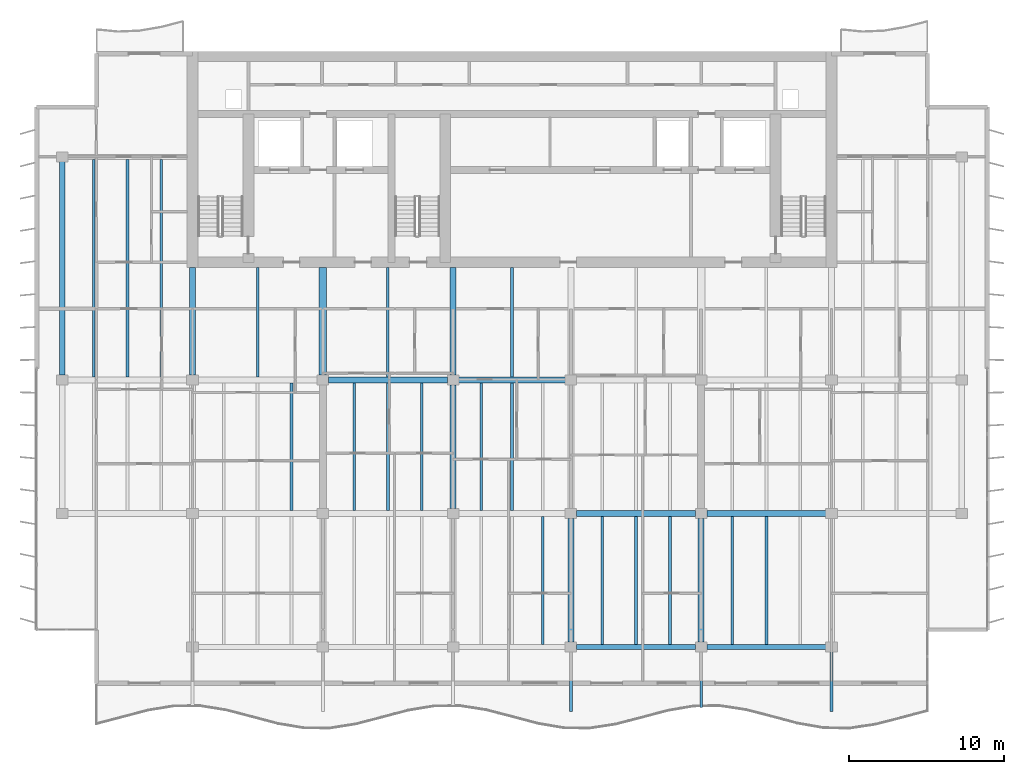
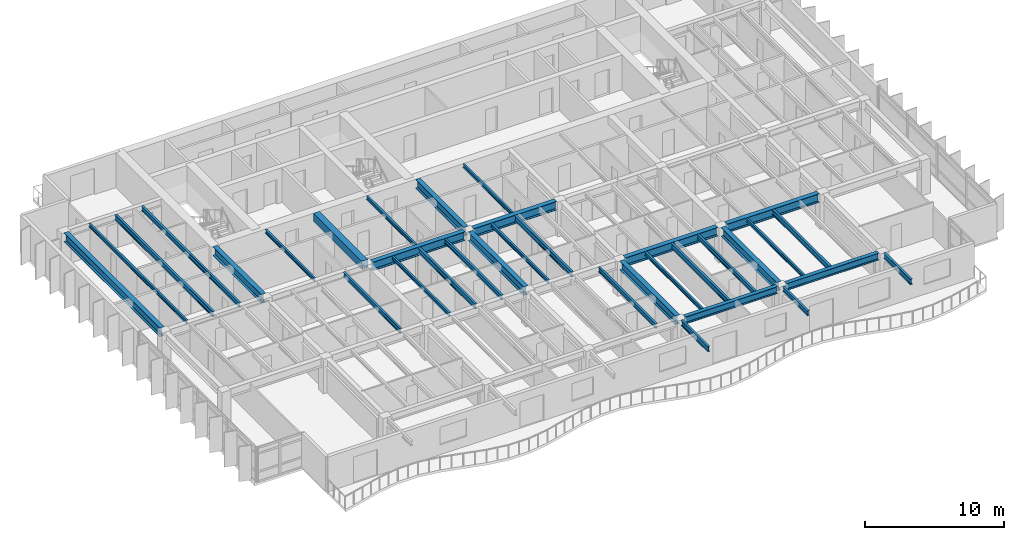
# One storey, part 3 of 16: 34 beams.
"""IFC4 building model written with IfcOpenShell, lengths in metres."""

from ifc_helpers import new_model, si_unit, direction, frame, origin, origin_2d, place, context, subcontext, project, spatial, rectangle, i_section, extrude, material, material_profile, profile_set, type_object, element, save


model = new_model("IFC4")

# Units and contexts
model_context = context("Model", 3, precision=1e-05, world=origin(), true_north=direction((0.0, 1.0)))
body_context = subcontext(model_context, "Body", "Model", "MODEL_VIEW")
ifc_project = project(units=[si_unit("LENGTHUNIT", "METRE"), si_unit("AREAUNIT", "SQUARE_METRE"), si_unit("VOLUMEUNIT", "CUBIC_METRE"), si_unit("PLANEANGLEUNIT", "RADIAN"), si_unit("MASSUNIT", "GRAM", prefix="KILO")], contexts=[model_context])

# Site, building, storey
site_placement = place(None, origin())
site = spatial("IfcSite", under=ifc_project, at=site_placement, CompositionType="ELEMENT")
building_placement = place(site_placement, origin())
building = spatial("IfcBuilding", under=site, at=building_placement, Name="Caelmar Bay Residences", CompositionType="ELEMENT")
storey_placement = place(building_placement, frame((0.0, 0.0, 233.10009765625)))
storey = spatial("IfcBuildingStorey", under=building, at=storey_placement, Name="L65", CompositionType="ELEMENT", Elevation=233.10009765625)

# Beams
ifc_material_1 = material(Name="Steel ASTM A992 Grade 50", Category="steel")
ifc_material_profile_1 = material_profile(ifc_material_1, i_section(OverallWidth=0.177978515625, OverallDepth=0.406005859375, WebThickness=0.0078125, FlangeThickness=0.0126953125, FilletRadius=0.0087890625, at=origin_2d()), Name="W16X40")
ifc_profile_set_1 = profile_set([ifc_material_profile_1], Name="Steel ASTM A992 Grade 50")
beam_type_1 = type_object("IfcBeamType", Name="BM-BAL-W16X40", PredefinedType="JOIST", material=ifc_profile_set_1)
for number, where, z_axis, x_axis, name in (
    (1, (40.8759765625, 12.362548828125, 2.846923828125), (0.0, 1.0, 0.0), (-1.0, 0.0, 0.0), "L65 Composite Floor Joist 9"),
    (2, (49.083984375, 12.362548828125, 2.846923828125), (0.0, 1.0, 0.0), (-1.0, 0.0, 0.0), "L65 Composite Floor Joist 12"),
):
    element("IfcBeam", number, at=place(storey_placement, frame(where, z_axis=z_axis, x_axis=x_axis)), inside=storey, type_object=beam_type_1, Name=name, PredefinedType="JOIST", context=body_context, shape_type="SweptSolid", body=[
        extrude(i_section(OverallWidth=0.177978515625, OverallDepth=0.406005859375, WebThickness=0.0078125, FlangeThickness=0.0126953125, FilletRadius=0.0087890625, at=origin_2d()), origin(), (0.0, 0.0, 1.0), 8.2470703125),
    ])
for number, where, z_axis, x_axis, name in (
    (3, (24.68408203125, 20.990478515625, 2.846923828125), (0.0, 1.0, 0.0), (-1.0, 0.0, 0.0), "L65 Composite Floor Joist 21"),
    (4, (33.083984375, 20.990478515625, 2.846923828125), (0.0, 1.0, 0.0), (-1.0, 0.0, 0.0), "L65 Composite Floor Joist 24"),
):
    element("IfcBeam", number, at=place(storey_placement, frame(where, z_axis=z_axis, x_axis=x_axis)), inside=storey, type_object=beam_type_1, Name=name, PredefinedType="JOIST", context=body_context, shape_type="SweptSolid", body=[
        extrude(i_section(OverallWidth=0.177978515625, OverallDepth=0.406005859375, WebThickness=0.0078125, FlangeThickness=0.0126953125, FilletRadius=0.0087890625, at=origin_2d()), origin(), (0.0, 0.0, 1.0), 8.218994140625),
    ])
beam_1_placement = place(storey_placement, frame((16.283935546875, 29.590576171875, 2.846923828125), z_axis=(0.0, 1.0, 0.0), x_axis=(-1.0, 0.0, 0.0)))
element("IfcBeam", 5, at=beam_1_placement, inside=storey, type_object=beam_type_1, Name="L65 Composite Floor Joist 44", PredefinedType="JOIST", context=body_context, shape_type="SweptSolid", body=[
    extrude(i_section(OverallWidth=0.177978515625, OverallDepth=0.406005859375, WebThickness=0.0078125, FlangeThickness=0.0126953125, FilletRadius=0.0087890625, at=origin_2d()), origin(), (0.0, 0.0, 1.0), 14.046875),
])
beam_2_placement = place(storey_placement, frame((51.10009765625, 11.885009765625, 2.846923828125), z_axis=(0.0, -1.0, 0.0), x_axis=(1.0, 0.0, 0.0)))
element("IfcBeam", 6, at=beam_2_placement, inside=storey, type_object=beam_type_1, Name="L66 South Balcony Cantilever Bracket 5", PredefinedType="JOIST", context=body_context, shape_type="SweptSolid", body=[
    extrude(i_section(OverallWidth=0.177978515625, OverallDepth=0.406005859375, WebThickness=0.0078125, FlangeThickness=0.0126953125, FilletRadius=0.0087890625, at=origin_2d()), origin(), (0.0, 0.0, 1.0), 3.586669921875),
])
ifc_material_profile_2 = material_profile(ifc_material_1, i_section(OverallWidth=0.193115234375, OverallDepth=0.467041015625, WebThickness=0.011474609375, FlangeThickness=0.01904296875, FilletRadius=0.01025390625, at=origin_2d()), Name="W18X65")
ifc_profile_set_2 = profile_set([ifc_material_profile_2], Name="Steel ASTM A992 Grade 50")
beam_type_2 = type_object("IfcBeamType", Name="BM-BAL-W18X65", PredefinedType="BEAM", material=ifc_profile_set_2)
for number, where, z_axis, x_axis, name in (
    (7, (42.699951171875, 11.885009765625, 2.81640625), (0.0, -1.0, 0.0), (1.0, 0.0, 0.0), "L66 South Balcony Cantilever Bracket 4"),
    (8, (59.5, 11.885009765625, 2.81640625), (0.0, -1.0, 0.0), (1.0, 0.0, 0.0), "L66 South Balcony Cantilever Bracket 6"),
):
    element("IfcBeam", number, at=place(storey_placement, frame(where, z_axis=z_axis, x_axis=x_axis)), inside=storey, type_object=beam_type_2, Name=name, PredefinedType="BEAM", context=body_context, shape_type="SweptSolid", body=[
        extrude(i_section(OverallWidth=0.193115234375, OverallDepth=0.467041015625, WebThickness=0.011474609375, FlangeThickness=0.01904296875, FilletRadius=0.01025390625, at=origin_2d()), origin(), (0.0, 0.0, 1.0), 3.85009765625),
    ])
ifc_material_profile_3 = material_profile(ifc_material_1, i_section(OverallWidth=0.381103515625, OverallDepth=0.77197265625, WebThickness=0.0166015625, FlangeThickness=0.027099609375, FilletRadius=0.0166015625, at=origin_2d()), Name="W30X173")
ifc_profile_set_3 = profile_set([ifc_material_profile_3], Name="Steel ASTM A992 Grade 50")
beam_type_3 = type_object("IfcBeamType", Name="BM-GRD-W30X173", PredefinedType="BEAM", material=ifc_profile_set_3)
beam_3_placement = place(storey_placement, frame((43.06494140625, 20.800048828125, 2.663818359375), z_axis=(1.0, 0.0, 0.0), x_axis=(0.0, 1.0, 0.0)))
element("IfcBeam", 9, at=beam_3_placement, inside=storey, type_object=beam_type_3, Name="L65 East-West Girder Y=20.80 (42.7-51.1)", PredefinedType="BEAM", context=body_context, shape_type="SweptSolid", body=[
    extrude(i_section(OverallWidth=0.381103515625, OverallDepth=0.77197265625, WebThickness=0.0166015625, FlangeThickness=0.027099609375, FilletRadius=0.0166015625, at=origin_2d()), origin(), (0.0, 0.0, 1.0), 7.670166015625),
])
beam_4_placement = place(storey_placement, frame((51.465087890625, 20.800048828125, 2.663818359375), z_axis=(1.0, 0.0, 0.0), x_axis=(0.0, 1.0, 0.0)))
element("IfcBeam", 10, at=beam_4_placement, inside=storey, type_object=beam_type_3, Name="L65 East-West Girder Y=20.80 (51.1-59.5)", PredefinedType="BEAM", context=body_context, shape_type="SweptSolid", body=[
    extrude(i_section(OverallWidth=0.381103515625, OverallDepth=0.77197265625, WebThickness=0.0166015625, FlangeThickness=0.027099609375, FilletRadius=0.0166015625, at=origin_2d()), origin(), (0.0, 0.0, 1.0), 7.669921875),
])
beam_5_placement = place(storey_placement, frame((27.06494140625, 29.39990234375, 2.663818359375), z_axis=(1.0, 0.0, 0.0), x_axis=(0.0, 1.0, 0.0)))
element("IfcBeam", 11, at=beam_5_placement, inside=storey, type_object=beam_type_3, Name="L65 East-West Girder Y=29.40 (26.7-35.1)", PredefinedType="BEAM", context=body_context, shape_type="SweptSolid", body=[
    extrude(i_section(OverallWidth=0.381103515625, OverallDepth=0.77197265625, WebThickness=0.0166015625, FlangeThickness=0.027099609375, FilletRadius=0.0166015625, at=origin_2d()), origin(), (0.0, 0.0, 1.0), 7.670166015625),
])
beam_6_placement = place(storey_placement, frame((35.465087890625, 29.39990234375, 2.663818359375), z_axis=(1.0, 0.0, 0.0), x_axis=(0.0, 1.0, 0.0)))
element("IfcBeam", 12, at=beam_6_placement, inside=storey, type_object=beam_type_3, Name="L65 East-West Girder Y=29.40 (35.1-42.7)", PredefinedType="BEAM", context=body_context, shape_type="SweptSolid", body=[
    extrude(i_section(OverallWidth=0.381103515625, OverallDepth=0.77197265625, WebThickness=0.0166015625, FlangeThickness=0.027099609375, FilletRadius=0.0166015625, at=origin_2d()), origin(), (0.0, 0.0, 1.0), 6.869873046875),
])
beam_7_placement = place(storey_placement, frame((9.89990234375, 29.715087890625, 2.663818359375), z_axis=(0.0, 1.0, 0.0), x_axis=(-1.0, 0.0, 0.0)))
element("IfcBeam", 13, at=beam_7_placement, inside=storey, type_object=beam_type_3, Name="L65 North-South Girder X=9.90 (29.4-43.8)", PredefinedType="BEAM", context=body_context, shape_type="SweptSolid", body=[
    extrude(i_section(OverallWidth=0.381103515625, OverallDepth=0.77197265625, WebThickness=0.0166015625, FlangeThickness=0.027099609375, FilletRadius=0.0166015625, at=origin_2d()), origin(), (0.0, 0.0, 1.0), 13.77001953125),
])
for number, where, z_axis, x_axis, name in (
    (14, (18.300048828125, 29.715087890625, 2.663818359375), (0.0, 1.0, 0.0), (-1.0, 0.0, 0.0), "L65 Core Tie Girder X=18.30"),
    (15, (35.10009765625, 29.715087890625, 2.663818359375), (0.0, 1.0, 0.0), (-1.0, 0.0, 0.0), "L65 Core Tie Girder X=35.10"),
):
    element("IfcBeam", number, at=place(storey_placement, frame(where, z_axis=z_axis, x_axis=x_axis)), inside=storey, type_object=beam_type_3, Name=name, PredefinedType="BEAM", context=body_context, shape_type="SweptSolid", body=[
        extrude(i_section(OverallWidth=0.381103515625, OverallDepth=0.77197265625, WebThickness=0.0166015625, FlangeThickness=0.027099609375, FilletRadius=0.0166015625, at=origin_2d()), origin(), (0.0, 0.0, 1.0), 6.934814453125),
    ])
beam_8_placement = place(storey_placement, frame((35.10009765625, 21.114990234375, 2.663818359375), z_axis=(0.0, 1.0, 0.0), x_axis=(-1.0, 0.0, 0.0)))
element("IfcBeam", 16, at=beam_8_placement, inside=storey, type_object=beam_type_3, Name="L65 North-South Girder X=35.10 (20.8-29.4)", PredefinedType="BEAM", context=body_context, shape_type="SweptSolid", body=[
    extrude(i_section(OverallWidth=0.381103515625, OverallDepth=0.77197265625, WebThickness=0.0166015625, FlangeThickness=0.027099609375, FilletRadius=0.0166015625, at=origin_2d()), origin(), (0.0, 0.0, 1.0), 7.969970703125),
])
for number, where, z_axis, x_axis, name in (
    (17, (42.699951171875, 12.514892578125, 2.663818359375), (0.0, 1.0, 0.0), (-1.0, 0.0, 0.0), "L65 North-South Girder X=42.70 (12.2-20.8)"),
    (18, (51.10009765625, 12.514892578125, 2.663818359375), (0.0, 1.0, 0.0), (-1.0, 0.0, 0.0), "L65 North-South Girder X=51.10 (12.2-20.8)"),
):
    element("IfcBeam", number, at=place(storey_placement, frame(where, z_axis=z_axis, x_axis=x_axis)), inside=storey, type_object=beam_type_3, Name=name, PredefinedType="BEAM", context=body_context, shape_type="SweptSolid", body=[
        extrude(i_section(OverallWidth=0.381103515625, OverallDepth=0.77197265625, WebThickness=0.0166015625, FlangeThickness=0.027099609375, FilletRadius=0.0166015625, at=origin_2d()), origin(), (0.0, 0.0, 1.0), 7.97021484375),
    ])
ifc_material_profile_4 = material_profile(ifc_material_1, i_section(OverallWidth=0.1650390625, OverallDepth=0.31005859375, WebThickness=0.005859375, FlangeThickness=0.009765625, FilletRadius=0.007568359375, at=origin_2d()), Name="W12X26")
ifc_profile_set_4 = profile_set([ifc_material_profile_4], Name="Steel ASTM A992 Grade 50")
beam_type_4 = type_object("IfcBeamType", Name="BM-JST-W12X26", PredefinedType="JOIST", material=ifc_profile_set_4)
for number, where, z_axis, x_axis, name in (
    (19, (44.716064453125, 12.362548828125, 2.89501953125), (0.0, 1.0, 0.0), (-1.0, 0.0, 0.0), "L65 Composite Floor Joist 10"),
    (20, (53.115966796875, 12.362548828125, 2.89501953125), (0.0, 1.0, 0.0), (-1.0, 0.0, 0.0), "L65 Composite Floor Joist 13"),
):
    element("IfcBeam", number, at=place(storey_placement, frame(where, z_axis=z_axis, x_axis=x_axis)), inside=storey, type_object=beam_type_4, Name=name, PredefinedType="JOIST", context=body_context, shape_type="SweptSolid", body=[
        extrude(i_section(OverallWidth=0.1650390625, OverallDepth=0.31005859375, WebThickness=0.005859375, FlangeThickness=0.009765625, FilletRadius=0.007568359375, at=origin_2d()), origin(), (0.0, 0.0, 1.0), 8.2470703125),
    ])
for number, where, z_axis, x_axis, name in (
    (21, (28.716064453125, 20.990478515625, 2.89501953125), (0.0, 1.0, 0.0), (-1.0, 0.0, 0.0), "L65 Composite Floor Joist 22"),
    (22, (36.924072265625, 20.990478515625, 2.89501953125), (0.0, 1.0, 0.0), (-1.0, 0.0, 0.0), "L65 Composite Floor Joist 25"),
):
    element("IfcBeam", number, at=place(storey_placement, frame(where, z_axis=z_axis, x_axis=x_axis)), inside=storey, type_object=beam_type_4, Name=name, PredefinedType="JOIST", context=body_context, shape_type="SweptSolid", body=[
        extrude(i_section(OverallWidth=0.1650390625, OverallDepth=0.31005859375, WebThickness=0.005859375, FlangeThickness=0.009765625, FilletRadius=0.007568359375, at=origin_2d()), origin(), (0.0, 0.0, 1.0), 8.218994140625),
    ])
for number, where, z_axis, x_axis, name in (
    (23, (22.5, 29.590576171875, 2.89501953125), (0.0, 1.0, 0.0), (-1.0, 0.0, 0.0), "L65 Core-Band Composite Joist 37"),
    (24, (30.89990234375, 29.590576171875, 2.89501953125), (0.0, 1.0, 0.0), (-1.0, 0.0, 0.0), "L65 Core-Band Composite Joist 38"),
    (25, (38.89990234375, 29.590576171875, 2.89501953125), (0.0, 1.0, 0.0), (-1.0, 0.0, 0.0), "L65 Core-Band Composite Joist 39"),
):
    element("IfcBeam", number, at=place(storey_placement, frame(where, z_axis=z_axis, x_axis=x_axis)), inside=storey, type_object=beam_type_4, Name=name, PredefinedType="JOIST", context=body_context, shape_type="SweptSolid", body=[
        extrude(i_section(OverallWidth=0.1650390625, OverallDepth=0.31005859375, WebThickness=0.005859375, FlangeThickness=0.009765625, FilletRadius=0.007568359375, at=origin_2d()), origin(), (0.0, 0.0, 1.0), 7.059326171875),
    ])
beam_9_placement = place(storey_placement, frame((11.916015625, 29.590576171875, 2.89501953125), z_axis=(0.0, 1.0, 0.0), x_axis=(-1.0, 0.0, 0.0)))
element("IfcBeam", 26, at=beam_9_placement, inside=storey, type_object=beam_type_4, Name="L65 Composite Floor Joist 42", PredefinedType="JOIST", context=body_context, shape_type="SweptSolid", body=[
    extrude(i_section(OverallWidth=0.1650390625, OverallDepth=0.31005859375, WebThickness=0.005859375, FlangeThickness=0.009765625, FilletRadius=0.007568359375, at=origin_2d()), origin(), (0.0, 0.0, 1.0), 14.046875),
])
ifc_material_profile_5 = material_profile(ifc_material_1, i_section(OverallWidth=0.19091796875, OverallDepth=0.45703125, WebThickness=0.009033203125, FlangeThickness=0.014404296875, FilletRadius=0.01025390625, at=origin_2d()), Name="W18X50")
ifc_profile_set_5 = profile_set([ifc_material_profile_5], Name="Steel ASTM A992 Grade 50")
beam_type_5 = type_object("IfcBeamType", Name="BM-JST-W18X50", PredefinedType="JOIST", material=ifc_profile_set_5)
for number, where, z_axis, x_axis, name in (
    (27, (46.89990234375, 12.362548828125, 2.8212890625), (0.0, 1.0, 0.0), (-1.0, 0.0, 0.0), "L65 Composite Floor Joist 11"),
    (28, (55.300048828125, 12.362548828125, 2.8212890625), (0.0, 1.0, 0.0), (-1.0, 0.0, 0.0), "L65 Composite Floor Joist 14"),
):
    element("IfcBeam", number, at=place(storey_placement, frame(where, z_axis=z_axis, x_axis=x_axis)), inside=storey, type_object=beam_type_5, Name=name, PredefinedType="JOIST", context=body_context, shape_type="SweptSolid", body=[
        extrude(i_section(OverallWidth=0.19091796875, OverallDepth=0.45703125, WebThickness=0.009033203125, FlangeThickness=0.014404296875, FilletRadius=0.01025390625, at=origin_2d()), origin(), (0.0, 0.0, 1.0), 8.2470703125),
    ])
for number, where, z_axis, x_axis, name in (
    (29, (30.89990234375, 20.990478515625, 2.8212890625), (0.0, 1.0, 0.0), (-1.0, 0.0, 0.0), "L65 Composite Floor Joist 23"),
    (30, (38.89990234375, 20.990478515625, 2.8212890625), (0.0, 1.0, 0.0), (-1.0, 0.0, 0.0), "L65 Composite Floor Joist 26"),
):
    element("IfcBeam", number, at=place(storey_placement, frame(where, z_axis=z_axis, x_axis=x_axis)), inside=storey, type_object=beam_type_5, Name=name, PredefinedType="JOIST", context=body_context, shape_type="SweptSolid", body=[
        extrude(i_section(OverallWidth=0.19091796875, OverallDepth=0.45703125, WebThickness=0.009033203125, FlangeThickness=0.014404296875, FilletRadius=0.01025390625, at=origin_2d()), origin(), (0.0, 0.0, 1.0), 8.218994140625),
    ])
beam_10_placement = place(storey_placement, frame((14.10009765625, 29.590576171875, 2.8212890625), z_axis=(0.0, 1.0, 0.0), x_axis=(-1.0, 0.0, 0.0)))
element("IfcBeam", 31, at=beam_10_placement, inside=storey, type_object=beam_type_5, Name="L65 Composite Floor Joist 43", PredefinedType="JOIST", context=body_context, shape_type="SweptSolid", body=[
    extrude(i_section(OverallWidth=0.19091796875, OverallDepth=0.45703125, WebThickness=0.009033203125, FlangeThickness=0.014404296875, FilletRadius=0.01025390625, at=origin_2d()), origin(), (0.0, 0.0, 1.0), 14.046875),
])
ifc_material_2 = material(Name="Concrete f'c 55 MPa (8,000 psi)", Category="concrete")
ifc_material_profile_6 = material_profile(ifc_material_2, rectangle(XDim=0.5, YDim=0.699951171875, at=origin_2d()), Name="RC-BM-500X700")
ifc_profile_set_6 = profile_set([ifc_material_profile_6], Name="Concrete f'c 55 MPa (8,000 psi)")
beam_type_6 = type_object("IfcBeamType", Name="BM-RC-500X700", PredefinedType="LINTEL", material=ifc_profile_set_6)
beam_11_placement = place(storey_placement, frame((26.699951171875, 29.715087890625, 2.699951171875), z_axis=(0.0, 1.0, 0.0), x_axis=(-1.0, 0.0, 0.0)))
element("IfcBeam", 32, at=beam_11_placement, inside=storey, type_object=beam_type_6, Name="L65 Shear-Wall Corridor Coupling Lintel W5", PredefinedType="LINTEL", context=body_context, shape_type="SweptSolid", body=[
    extrude(rectangle(XDim=0.5, YDim=0.699951171875, at=origin_2d()), origin(), (0.0, 0.0, 1.0), 6.934814453125),
])
ifc_material_profile_7 = material_profile(ifc_material_1, i_section(OverallWidth=0.324951171875, OverallDepth=0.616943359375, WebThickness=0.013916015625, FlangeThickness=0.021484375, FilletRadius=0.0126953125, at=origin_2d()), Name="W24X117")
ifc_profile_set_7 = profile_set([ifc_material_profile_7], Name="Steel ASTM A992 Grade 50")
beam_type_7 = type_object("IfcBeamType", Name="BM-SPN-W24X117", PredefinedType="SPANDREL", material=ifc_profile_set_7)
beam_12_placement = place(storey_placement, frame((43.06494140625, 12.199951171875, 2.741455078125), z_axis=(1.0, 0.0, 0.0), x_axis=(0.0, 1.0, 0.0)))
element("IfcBeam", 33, at=beam_12_placement, inside=storey, type_object=beam_type_7, Name="L65 East-West Girder Y=12.20 (42.7-51.1)", PredefinedType="SPANDREL", context=body_context, shape_type="SweptSolid", body=[
    extrude(i_section(OverallWidth=0.324951171875, OverallDepth=0.616943359375, WebThickness=0.013916015625, FlangeThickness=0.021484375, FilletRadius=0.0126953125, at=origin_2d()), origin(), (0.0, 0.0, 1.0), 7.670166015625),
])
beam_13_placement = place(storey_placement, frame((51.465087890625, 12.199951171875, 2.741455078125), z_axis=(1.0, 0.0, 0.0), x_axis=(0.0, 1.0, 0.0)))
element("IfcBeam", 34, at=beam_13_placement, inside=storey, type_object=beam_type_7, Name="L65 East-West Girder Y=12.20 (51.1-59.5)", PredefinedType="SPANDREL", context=body_context, shape_type="SweptSolid", body=[
    extrude(i_section(OverallWidth=0.324951171875, OverallDepth=0.616943359375, WebThickness=0.013916015625, FlangeThickness=0.021484375, FilletRadius=0.0126953125, at=origin_2d()), origin(), (0.0, 0.0, 1.0), 7.669921875),
])

save(model, "model.ifc")
